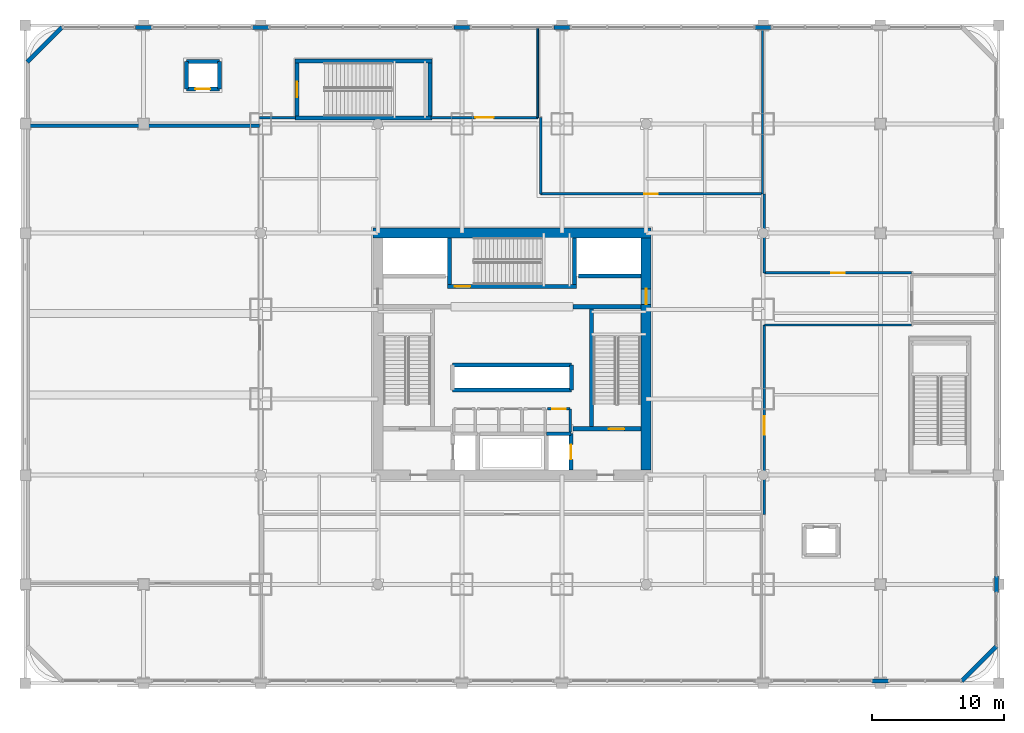
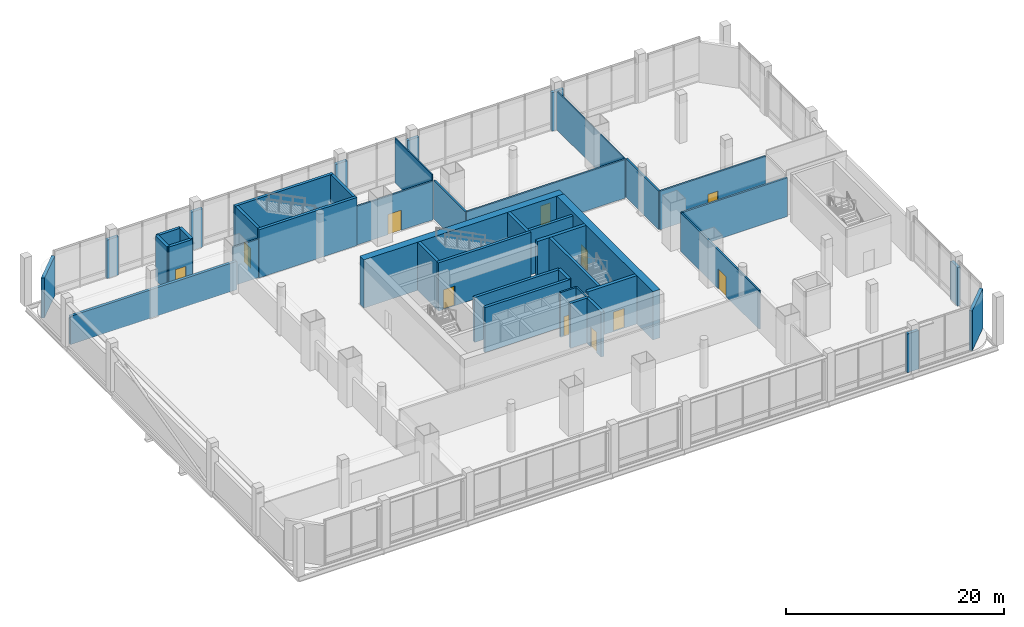
# One storey, part 24 of 35: 44 walls, 11 doors, 11 openings.
"""IFC4 building model written with IfcOpenShell, lengths in metres."""

from ifc_helpers import new_model, si_unit, direction, frame, frame_2d, origin, place, context, subcontext, project, spatial, rectangle, extrude, material, layer, layer_set, type_object, element, fill, save


model = new_model("IFC4")

# Units and contexts
model_context = context("Model", 3, precision=1e-05, world=origin(), true_north=direction((0.0, 1.0)))
body_context = subcontext(model_context, "Body", "Model", "MODEL_VIEW")
ifc_project = project(units=[si_unit("LENGTHUNIT", "METRE"), si_unit("AREAUNIT", "SQUARE_METRE"), si_unit("VOLUMEUNIT", "CUBIC_METRE"), si_unit("PLANEANGLEUNIT", "RADIAN"), si_unit("MASSUNIT", "GRAM", prefix="KILO")], contexts=[model_context])

# Site, building, storey
site_placement = place(None, origin())
site = spatial("IfcSite", under=ifc_project, at=site_placement, CompositionType="ELEMENT")
building_placement = place(site_placement, origin())
building = spatial("IfcBuilding", under=site, at=building_placement, Name="Punatoya Terracotta Tower", CompositionType="ELEMENT")
storey_placement = place(building_placement, frame((0.0, 0.0, 16.800048828125)))
storey = spatial("IfcBuildingStorey", under=building, at=storey_placement, Name="L03", CompositionType="ELEMENT", Elevation=16.800048828125)

# Walls
ifc_material_1 = material(Name="Concrete C40/50", Category="concrete")
ifc_layer_1 = layer(ifc_material_1, 0.280029296875)
ifc_layer_set_1 = layer_set([ifc_layer_1], Name="Concrete C40/50")
wall_type_1 = type_object("IfcWallType", Name="WL-AUD-280", PredefinedType="SOLIDWALL", material=ifc_layer_set_1)
wall_1_placement = place(storey_placement, frame((-36.780029296875, 17.360107421875, 0.0), z_axis=(0.0, 0.0, 1.0), x_axis=(1.0, 0.0, 0.0)))
element("IfcWall", 1, at=wall_1_placement, inside=storey, type_object=wall_type_1, Name="L03 Column-Free 450-Seat Corporate Auditorium Partition 14", PredefinedType="SOLIDWALL", context=body_context, shape_type="SweptSolid", body=[
    extrude(rectangle(XDim=17.60009765625, YDim=0.280029296875, at=frame_2d((8.800048828125, 0.0))), origin(), (0.0, 0.0, 1.0), 3.1640625),
])
ifc_material_2 = material(Name="Concrete C60/75", Category="concrete")
ifc_layer_2 = layer(ifc_material_2, 0.75)
ifc_layer_set_2 = layer_set([ifc_layer_2], Name="Concrete C60/75")
wall_type_2 = type_object("IfcWallType", Name="WL-COR-750", PredefinedType="SHEAR", material=ifc_layer_set_2)
wall_2_placement = place(storey_placement, frame((-10.574951171875, 9.199951171875, 0.0), z_axis=(0.0, 0.0, 1.0), x_axis=(1.0, 0.0, 0.0)))
element("IfcWall", 2, at=wall_2_placement, inside=storey, type_object=wall_type_2, Name="L03 Core Shear Wall N", PredefinedType="SHEAR", context=body_context, shape_type="SweptSolid", body=[
    extrude(rectangle(XDim=21.14990234375, YDim=0.75, at=frame_2d((10.574951171875, 0.0))), origin(), (0.0, 0.0, 1.0), 5.39990234375),
])

# Wall, opening, door
wall_3_placement = place(storey_placement, frame((10.199951171875, 8.824951171875, 0.0), z_axis=(0.0, 0.0, 1.0), x_axis=(0.0, -1.0, 0.0)))
wall_3 = element("IfcWall", 3, at=wall_3_placement, inside=storey, type_object=wall_type_2, Name="L03 Core Shear Wall E", PredefinedType="SHEAR", context=body_context, shape_type="SweptSolid", body=[
    extrude(rectangle(XDim=17.64990234375, YDim=0.75, at=frame_2d((8.824951171875, 0.0))), origin(), (0.0, 0.0, 1.0), 5.39990234375),
])
opening_1_placement = place(wall_3_placement, frame((3.85498046875, 0.0, 0.0)))
opening_1 = element("IfcOpeningElement", 4, at=opening_1_placement, cuts=wall_3, Name="Opening SD-01", PredefinedType="OPENING", context=body_context, shape_type="SweptSolid", body=[
    extrude(rectangle(XDim=1.179931640625, YDim=2.199951171875, at=frame_2d((0.58984375, 1.10009765625))), frame((0.0, 0.385009765625, 0.0), z_axis=(0.0, -1.0, 0.0), x_axis=(1.0, 0.0, 0.0)), (0.0, 0.0, 1.0), 0.77001953125),
])
ifc_material_3 = material(Name="Galvanised Steel Pressurized Stair Fire Door", Category="steel")
door_type_1 = type_object("IfcDoorType", Name="DR-STR-1180", OperationType="NOTDEFINED", PredefinedType="DOOR", material=ifc_material_3)
door_1_placement = place(opening_1_placement, origin())
door_1 = element("IfcDoor", 5, at=door_1_placement, inside=storey, type_object=door_type_1, Name="L03 Central Lift Lobby East Fire Door", OperationType="SINGLE_SWING_RIGHT", OverallHeight=2.199951171875, OverallWidth=1.179931640625, PredefinedType="DOOR", context=body_context, shape_type="SweptSolid", body=[
    extrude(rectangle(XDim=1.179931640625, YDim=2.199951171875, at=frame_2d((0.58984375, 1.10009765625))), frame((0.0, 0.02490234375, 0.0), z_axis=(0.0, -1.0, 0.0), x_axis=(1.0, 0.0, 0.0)), (0.0, 0.0, 1.0), 0.050048828125),
])
fill(opening_1, door_1)

# Wall
ifc_material_4 = material(Name="Gypsum Fireboard + Steel Stud", Category="steel")
ifc_layer_3 = layer(ifc_material_4, 0.179931640625)
ifc_layer_set_3 = layer_set([ifc_layer_3], Name="Gypsum Fireboard + Steel Stud")
wall_type_3 = type_object("IfcWallType", Name="WL-CORR-180", PredefinedType="PARTITIONING", material=ifc_layer_set_3)
wall_4_placement = place(storey_placement, frame((4.419921875, -5.89990234375, 0.0), z_axis=(0.0, 0.0, 1.0), x_axis=(0.0, 1.0, 0.0)))
element("IfcWall", 6, at=wall_4_placement, inside=storey, type_object=wall_type_3, Name="L03 Core Focus Booth Partition 10", PredefinedType="PARTITIONING", context=body_context, shape_type="SweptSolid", body=[
    extrude(rectangle(XDim=1.739990234375, YDim=0.179931640625, at=frame_2d((0.8701171875, 0.0))), origin(), (0.0, 0.0, 1.0), 5.02001953125),
])

# Wall, opening, door
wall_5_placement = place(storey_placement, frame((4.419921875, -4.159912109375, 0.0), z_axis=(0.0, 0.0, 1.0), x_axis=(-1.0, 0.0, 0.0)))
wall_5 = element("IfcWall", 7, at=wall_5_placement, inside=storey, type_object=wall_type_3, Name="L03 Core Focus Booth Partition 11", PredefinedType="PARTITIONING", context=body_context, shape_type="SweptSolid", body=[
    extrude(rectangle(XDim=1.719970703125, YDim=0.179931640625, at=frame_2d((0.85986328125, 0.0))), origin(), (0.0, 0.0, 1.0), 5.02001953125),
])
opening_2_placement = place(wall_5_placement, frame((0.35009765625, 0.0, 0.0)))
opening_2 = element("IfcOpeningElement", 8, at=opening_2_placement, cuts=wall_5, Name="Opening MD-01", PredefinedType="OPENING", context=body_context, shape_type="SweptSolid", body=[
    extrude(rectangle(XDim=1.02001953125, YDim=2.199951171875, at=frame_2d((0.510009765625, 1.10009765625))), frame((0.0, 0.099853515625, 0.0), z_axis=(0.0, -1.0, 0.0), x_axis=(1.0, 0.0, 0.0)), (0.0, 0.0, 1.0), 0.199951171875),
])
ifc_material_5 = material(Name="Aluminium + Acoustic Glass Leaf", Category="aluminium")
door_type_2 = type_object("IfcDoorType", Name="DR-MTG-1020", OperationType="NOTDEFINED", PredefinedType="DOOR", material=ifc_material_5)
door_2_placement = place(opening_2_placement, origin())
door_2 = element("IfcDoor", 9, at=door_2_placement, inside=storey, type_object=door_type_2, Name="L03 Focus Booth Door", OperationType="SINGLE_SWING_RIGHT", OverallHeight=2.199951171875, OverallWidth=1.02001953125, PredefinedType="DOOR", context=body_context, shape_type="SweptSolid", body=[
    extrude(rectangle(XDim=1.02001953125, YDim=2.199951171875, at=frame_2d((0.510009765625, 1.10009765625))), frame((0.0, 0.02490234375, 0.0), z_axis=(0.0, -1.0, 0.0), x_axis=(1.0, 0.0, 0.0)), (0.0, 0.0, 1.0), 0.050048828125),
])
fill(opening_2, door_2)

wall_6_placement = place(storey_placement, frame((1.9599609375, 17.97998046875, 0.0), z_axis=(0.0, 0.0, 1.0), x_axis=(-1.0, 0.0, 0.0)))
wall_6 = element("IfcWall", 10, at=wall_6_placement, inside=storey, type_object=wall_type_3, Name="L03 Speakers' Green Room Lounge Partition 18", PredefinedType="PARTITIONING", context=body_context, shape_type="SweptSolid", body=[
    extrude(rectangle(XDim=8.099853515625, YDim=0.179931640625, at=frame_2d((4.0498046875, 0.0))), origin(), (0.0, 0.0, 1.0), 4.31396484375),
])
opening_3_placement = place(wall_6_placement, frame((3.35009765625, 0.0, 0.0)))
opening_3 = element("IfcOpeningElement", 11, at=opening_3_placement, cuts=wall_6, Name="Opening BD-01", PredefinedType="OPENING", context=body_context, shape_type="SweptSolid", body=[
    extrude(rectangle(XDim=1.39990234375, YDim=2.25, at=frame_2d((0.699951171875, 1.125))), frame((0.0, 0.099853515625, 0.0), z_axis=(0.0, -1.0, 0.0), x_axis=(1.0, 0.0, 0.0)), (0.0, 0.0, 1.0), 0.199951171875),
])
ifc_material_6 = material(Name="Bengal Teak Acoustic Leaf")
door_type_3 = type_object("IfcDoorType", Name="DR-BRD-1400", OperationType="NOTDEFINED", PredefinedType="DOOR", material=ifc_material_6)
door_3_placement = place(opening_3_placement, origin())
door_3 = element("IfcDoor", 12, at=door_3_placement, inside=storey, type_object=door_type_3, Name="L03 Speakers' Green Room Lounge Door", OperationType="SINGLE_SWING_LEFT", OverallHeight=2.25, OverallWidth=1.39990234375, PredefinedType="DOOR", context=body_context, shape_type="SweptSolid", body=[
    extrude(rectangle(XDim=1.39990234375, YDim=2.25, at=frame_2d((0.699951171875, 1.125))), frame((0.0, 0.02490234375, 0.0), z_axis=(0.0, -1.0, 0.0), x_axis=(1.0, 0.0, 0.0)), (0.0, 0.0, 1.0), 0.050048828125),
])
fill(opening_3, door_3)

# Wall
wall_7_placement = place(storey_placement, frame((-16.4599609375, 17.97998046875, 0.0), z_axis=(0.0, 0.0, 1.0), x_axis=(-1.0, 0.0, 0.0)))
element("IfcWall", 13, at=wall_7_placement, inside=storey, type_object=wall_type_3, Name="L03 Speakers' Green Room Lounge Partition 19", PredefinedType="PARTITIONING", context=body_context, shape_type="SweptSolid", body=[
    extrude(rectangle(XDim=2.719970703125, YDim=0.179931640625, at=frame_2d((1.35986328125, 0.0))), origin(), (0.0, 0.0, 1.0), 4.31396484375),
])

# Wall, opening, door
wall_8_placement = place(storey_placement, frame((19.179931640625, -12.179931640625, 0.0), z_axis=(0.0, 0.0, 1.0), x_axis=(0.0, 1.0, 0.0)))
wall_8 = element("IfcWall", 14, at=wall_8_placement, inside=storey, type_object=wall_type_3, Name="L03 South-East Townhall Seminar Room Partition 22", PredefinedType="PARTITIONING", context=body_context, shape_type="SweptSolid", body=[
    extrude(rectangle(XDim=14.39990234375, YDim=0.179931640625, at=frame_2d((7.199951171875, 0.0))), origin(), (0.0, 0.0, 1.0), 4.31396484375),
])
opening_4_placement = place(wall_8_placement, frame((6.050048828125, 0.0, 0.0)))
opening_4 = element("IfcOpeningElement", 15, at=opening_4_placement, cuts=wall_8, Name="Opening BD-01", PredefinedType="OPENING", context=body_context, shape_type="SweptSolid", body=[
    extrude(rectangle(XDim=1.39990234375, YDim=2.25, at=frame_2d((0.699951171875, 1.125))), frame((0.0, 0.099853515625, 0.0), z_axis=(0.0, -1.0, 0.0), x_axis=(1.0, 0.0, 0.0)), (0.0, 0.0, 1.0), 0.199951171875),
])
door_4_placement = place(opening_4_placement, origin())
door_4 = element("IfcDoor", 16, at=door_4_placement, inside=storey, type_object=door_type_3, Name="L03 South-East Townhall Seminar Room Door", OperationType="SINGLE_SWING_LEFT", OverallHeight=2.25, OverallWidth=1.39990234375, PredefinedType="DOOR", context=body_context, shape_type="SweptSolid", body=[
    extrude(rectangle(XDim=1.39990234375, YDim=2.25, at=frame_2d((0.699951171875, 1.125))), frame((0.0, 0.02490234375, 0.0), z_axis=(0.0, -1.0, 0.0), x_axis=(1.0, 0.0, 0.0)), (0.0, 0.0, 1.0), 0.050048828125),
])
fill(opening_4, door_4)

# Wall
wall_9_placement = place(storey_placement, frame((19.179931640625, 2.219970703125, 0.0), z_axis=(0.0, 0.0, 1.0), x_axis=(1.0, 0.0, 0.0)))
element("IfcWall", 17, at=wall_9_placement, inside=storey, type_object=wall_type_3, Name="L03 South-East Townhall Seminar Room Partition 23", PredefinedType="PARTITIONING", context=body_context, shape_type="SweptSolid", body=[
    extrude(rectangle(XDim=11.199951171875, YDim=0.179931640625, at=frame_2d((5.60009765625, 0.0))), origin(), (0.0, 0.0, 1.0), 4.31396484375),
])

# Wall, opening, door
wall_10_placement = place(storey_placement, frame((30.3798828125, 6.179931640625, 0.0), z_axis=(0.0, 0.0, 1.0), x_axis=(-1.0, 0.0, 0.0)))
wall_10 = element("IfcWall", 18, at=wall_10_placement, inside=storey, type_object=wall_type_3, Name="L03 North-East Executive Directors' Office Suite Partition 26", PredefinedType="PARTITIONING", context=body_context, shape_type="SweptSolid", body=[
    extrude(rectangle(XDim=11.199951171875, YDim=0.179931640625, at=frame_2d((5.60009765625, 0.0))), origin(), (0.0, 0.0, 1.0), 4.31396484375),
])
opening_5_placement = place(wall_10_placement, frame((5.074951171875, 0.0, 0.0)))
opening_5 = element("IfcOpeningElement", 19, at=opening_5_placement, cuts=wall_10, Name="Opening OD-01", PredefinedType="OPENING", context=body_context, shape_type="SweptSolid", body=[
    extrude(rectangle(XDim=1.050048828125, YDim=2.199951171875, at=frame_2d((0.52490234375, 1.10009765625))), frame((0.0, 0.099853515625, 0.0), z_axis=(0.0, -1.0, 0.0), x_axis=(1.0, 0.0, 0.0)), (0.0, 0.0, 1.0), 0.199951171875),
])
ifc_material_7 = material(Name="Bengal Teak Solid-Core Leaf")
door_type_4 = type_object("IfcDoorType", Name="DR-OFF-1050", OperationType="NOTDEFINED", PredefinedType="DOOR", material=ifc_material_7)
door_5_placement = place(opening_5_placement, origin())
door_5 = element("IfcDoor", 20, at=door_5_placement, inside=storey, type_object=door_type_4, Name="L03 North-East Executive Directors' Office Suite Door", OperationType="SINGLE_SWING_RIGHT", OverallHeight=2.199951171875, OverallWidth=1.050048828125, PredefinedType="DOOR", context=body_context, shape_type="SweptSolid", body=[
    extrude(rectangle(XDim=1.050048828125, YDim=2.199951171875, at=frame_2d((0.52490234375, 1.10009765625))), frame((0.0, 0.02490234375, 0.0), z_axis=(0.0, -1.0, 0.0), x_axis=(1.0, 0.0, 0.0)), (0.0, 0.0, 1.0), 0.050048828125),
])
fill(opening_5, door_5)

# Wall
wall_11_placement = place(storey_placement, frame((19.179931640625, 6.179931640625, 0.0), z_axis=(0.0, 0.0, 1.0), x_axis=(0.0, 1.0, 0.0)))
element("IfcWall", 21, at=wall_11_placement, inside=storey, type_object=wall_type_3, Name="L03 North-East Executive Directors' Office Suite Partition 27", PredefinedType="PARTITIONING", context=body_context, shape_type="SweptSolid", body=[
    extrude(rectangle(XDim=6.0, YDim=0.179931640625, at=frame_2d((3.0, 0.0))), origin(), (0.0, 0.0, 1.0), 4.31396484375),
])

# Wall, opening, door
wall_12_placement = place(storey_placement, frame((18.9599609375, 12.179931640625, 0.0), z_axis=(0.0, 0.0, 1.0), x_axis=(-1.0, 0.0, 0.0)))
wall_12 = element("IfcWall", 22, at=wall_12_placement, inside=storey, type_object=wall_type_3, Name="L03 North Speakers' Lounge and Tea Pantry Partition 29", PredefinedType="PARTITIONING", context=body_context, shape_type="SweptSolid", body=[
    extrude(rectangle(XDim=16.780029296875, YDim=0.179931640625, at=frame_2d((8.39013671875, 0.0))), origin(), (0.0, 0.0, 1.0), 4.31396484375),
])
opening_6_placement = place(wall_12_placement, frame((7.864990234375, 0.0, 0.0)))
opening_6 = element("IfcOpeningElement", 23, at=opening_6_placement, cuts=wall_12, Name="Opening OD-01", PredefinedType="OPENING", context=body_context, shape_type="SweptSolid", body=[
    extrude(rectangle(XDim=1.050048828125, YDim=2.199951171875, at=frame_2d((0.52490234375, 1.10009765625))), frame((0.0, 0.099853515625, 0.0), z_axis=(0.0, -1.0, 0.0), x_axis=(1.0, 0.0, 0.0)), (0.0, 0.0, 1.0), 0.199951171875),
])
door_6_placement = place(opening_6_placement, origin())
door_6 = element("IfcDoor", 24, at=door_6_placement, inside=storey, type_object=door_type_4, Name="L03 North Speakers' Lounge and Tea Pantry Door", OperationType="SINGLE_SWING_LEFT", OverallHeight=2.199951171875, OverallWidth=1.050048828125, PredefinedType="DOOR", context=body_context, shape_type="SweptSolid", body=[
    extrude(rectangle(XDim=1.050048828125, YDim=2.199951171875, at=frame_2d((0.52490234375, 1.10009765625))), frame((0.0, 0.02490234375, 0.0), z_axis=(0.0, -1.0, 0.0), x_axis=(1.0, 0.0, 0.0)), (0.0, 0.0, 1.0), 0.050048828125),
])
fill(opening_6, door_6)

# Walls
wall_13_placement = place(storey_placement, frame((2.179931640625, 12.179931640625, 0.0), z_axis=(0.0, 0.0, 1.0), x_axis=(0.0, 1.0, 0.0)))
element("IfcWall", 25, at=wall_13_placement, inside=storey, type_object=wall_type_3, Name="L03 North Speakers' Lounge and Tea Pantry Partition 30", PredefinedType="PARTITIONING", context=body_context, shape_type="SweptSolid", body=[
    extrude(rectangle(XDim=5.800048828125, YDim=0.179931640625, at=frame_2d((2.89990234375, 0.0))), origin(), (0.0, 0.0, 1.0), 4.31396484375),
])
ifc_material_8 = material(Name="Precast concrete C40/50", Category="concrete")
ifc_layer_4 = layer(ifc_material_8, 0.320068359375)
ifc_layer_set_4 = layer_set([ifc_layer_4], Name="Precast concrete C40/50")
wall_type_4 = type_object("IfcWallType", Name="WL-EXT-320", PredefinedType="SOLIDWALL", material=ifc_layer_set_4)
wall_14_placement = place(storey_placement, frame((-27.3798828125, 24.840087890625, 0.0), z_axis=(0.0, 0.0, 1.0), x_axis=(-1.0, 0.0, 0.0)))
element("IfcWall", 26, at=wall_14_placement, inside=storey, type_object=wall_type_4, Name="L03 North Column Cladding Pier 1", PredefinedType="SOLIDWALL", context=body_context, shape_type="SweptSolid", body=[
    extrude(rectangle(XDim=1.240234375, YDim=0.320068359375, at=frame_2d((0.6201171875, 0.0))), origin(), (0.0, 0.0, 1.0), 4.31396484375),
])
for number, where, z_axis, x_axis, name in (
    (27, (-18.47998046875, 24.840087890625, 0.0), (0.0, 0.0, 1.0), (-1.0, 0.0, 0.0), "L03 North Column Cladding Pier 2"),
    (28, (-3.179931640625, 24.840087890625, 0.0), (0.0, 0.0, 1.0), (-1.0, 0.0, 0.0), "L03 North Column Cladding Pier 3"),
    (29, (4.419921875, 24.840087890625, 0.0), (0.0, 0.0, 1.0), (-1.0, 0.0, 0.0), "L03 North Column Cladding Pier 4"),
    (30, (19.719970703125, 24.840087890625, 0.0), (0.0, 0.0, 1.0), (-1.0, 0.0, 0.0), "L03 North Column Cladding Pier 5"),
):
    element("IfcWall", number, at=place(storey_placement, frame(where, z_axis=z_axis, x_axis=x_axis)), inside=storey, type_object=wall_type_4, Name=name, PredefinedType="SOLIDWALL", context=body_context, shape_type="SweptSolid", body=[
        extrude(rectangle(XDim=1.239990234375, YDim=0.320068359375, at=frame_2d((0.6201171875, 0.0))), origin(), (0.0, 0.0, 1.0), 4.31396484375),
    ])
for number, where, z_axis, x_axis, name in (
    (31, (27.3798828125, -24.840087890625, 0.0), (0.0, 0.0, 1.0), (1.0, 0.0, 0.0), "L03 South Column Cladding Pier 6"),
    (32, (36.840087890625, -16.8798828125, 0.0), (0.0, 0.0, 1.0), (0.0, -1.0, 0.0), "L03 East Pier 11-B"),
):
    element("IfcWall", number, at=place(storey_placement, frame(where, z_axis=z_axis, x_axis=x_axis)), inside=storey, type_object=wall_type_4, Name=name, PredefinedType="SOLIDWALL", context=body_context, shape_type="SweptSolid", body=[
        extrude(rectangle(XDim=1.240234375, YDim=0.320068359375, at=frame_2d((0.6201171875, 0.0))), origin(), (0.0, 0.0, 1.0), 4.31396484375),
    ])
for number, where, z_axis, x_axis, name in (
    (33, (-36.840087890625, 22.199951171875, 0.0), (0.0, 0.0, 1.0), (0.707106781187, 0.707106781187, 0.0), "L03 Terracotta Corner Pier 2"),
    (34, (36.840087890625, -22.199951171875, 0.0), (0.0, 0.0, 1.0), (-0.707106781187, -0.707106781187, 0.0), "L03 Terracotta Corner Pier 4"),
):
    element("IfcWall", number, at=place(storey_placement, frame(where, z_axis=z_axis, x_axis=x_axis)), inside=storey, type_object=wall_type_4, Name=name, PredefinedType="SOLIDWALL", context=body_context, shape_type="SweptSolid", body=[
        extrude(rectangle(XDim=3.733642578125, YDim=0.320068359375, at=frame_2d((1.86669921875, 0.0))), origin(), (0.0, 0.0, 1.0), 4.4638671875),
    ])
ifc_material_9 = material(Name="Gypsum Partition + Steel Stud", Category="steel")
ifc_layer_5 = layer(ifc_material_9, 0.1201171875)
ifc_layer_set_5 = layer_set([ifc_layer_5], Name="Gypsum Partition + Steel Stud")
wall_type_5 = type_object("IfcWallType", Name="WL-OFF-120", PredefinedType="PARTITIONING", material=ifc_layer_set_5)
wall_15_placement = place(storey_placement, frame((1.9599609375, 24.780029296875, 0.0), z_axis=(0.0, 0.0, 1.0), x_axis=(0.0, -1.0, 0.0)))
element("IfcWall", 35, at=wall_15_placement, inside=storey, type_object=wall_type_5, Name="L03 Speakers' Green Room Lounge Partition 17", PredefinedType="PARTITIONING", context=body_context, shape_type="SweptSolid", body=[
    extrude(rectangle(XDim=6.800048828125, YDim=0.1201171875, at=frame_2d((3.39990234375, 0.0))), origin(), (0.0, 0.0, 1.0), 5.02001953125),
])
wall_16_placement = place(storey_placement, frame((19.0400390625, 12.179931640625, 0.0), z_axis=(0.0, 0.0, 1.0), x_axis=(0.0, 1.0, 0.0)))
element("IfcWall", 36, at=wall_16_placement, inside=storey, type_object=wall_type_5, Name="L03 North-East Executive Directors' Office Suite Partition 28", PredefinedType="PARTITIONING", context=body_context, shape_type="SweptSolid", body=[
    extrude(rectangle(XDim=12.60009765625, YDim=0.1201171875, at=frame_2d((6.300048828125, 0.0))), origin(), (0.0, 0.0, 1.0), 4.31396484375),
])
ifc_layer_6 = layer(ifc_material_1, 0.300048828125)
ifc_layer_set_6 = layer_set([ifc_layer_6], Name="Concrete C40/50")
wall_type_6 = type_object("IfcWallType", Name="WL-SHF-300", PredefinedType="SOLIDWALL", material=ifc_layer_set_6)
wall_17_placement = place(storey_placement, frame((6.050048828125, 3.449951171875, 0.0), z_axis=(0.0, 0.0, 1.0), x_axis=(0.0, -1.0, 0.0)))
element("IfcWall", 37, at=wall_17_placement, inside=storey, type_object=wall_type_6, Name="L03 Structural Stair Shaft Wall SW-ST2-W", PredefinedType="SOLIDWALL", context=body_context, shape_type="SweptSolid", body=[
    extrude(rectangle(XDim=8.949951171875, YDim=0.300048828125, at=frame_2d((4.47509765625, 0.0))), origin(), (0.0, 0.0, 1.0), 5.39990234375),
])
for number, where, z_axis, x_axis, name in (
    (38, (-4.75, 5.300048828125, 0.0), (0.0, 0.0, 1.0), (0.0, 1.0, 0.0), "L03 Structural Stair Shaft Wall SW-ST3-W"),
    (39, (4.75, 8.824951171875, 0.0), (0.0, 0.0, 1.0), (0.0, -1.0, 0.0), "L03 Structural Stair Shaft Wall SW-ST3-E"),
):
    element("IfcWall", number, at=place(storey_placement, frame(where, z_axis=z_axis, x_axis=x_axis)), inside=storey, type_object=wall_type_6, Name=name, PredefinedType="SOLIDWALL", context=body_context, shape_type="SweptSolid", body=[
        extrude(rectangle(XDim=3.52490234375, YDim=0.300048828125, at=frame_2d((1.762451171875, 0.0))), origin(), (0.0, 0.0, 1.0), 5.39990234375),
    ])

# Wall, opening, door
wall_18_placement = place(storey_placement, frame((-4.89990234375, 5.14990234375, 0.0), z_axis=(0.0, 0.0, 1.0), x_axis=(1.0, 0.0, 0.0)))
wall_18 = element("IfcWall", 40, at=wall_18_placement, inside=storey, type_object=wall_type_6, Name="L03 Structural Stair Shaft Wall SW-ST3-S", PredefinedType="SOLIDWALL", context=body_context, shape_type="SweptSolid", body=[
    extrude(rectangle(XDim=9.7998046875, YDim=0.300048828125, at=frame_2d((4.89990234375, 0.0))), origin(), (0.0, 0.0, 1.0), 5.39990234375),
])
opening_7_placement = place(wall_18_placement, frame((0.56005859375, 0.0, 0.0)))
opening_7 = element("IfcOpeningElement", 41, at=opening_7_placement, cuts=wall_18, Name="Opening SD-01", PredefinedType="OPENING", context=body_context, shape_type="SweptSolid", body=[
    extrude(rectangle(XDim=1.179931640625, YDim=2.199951171875, at=frame_2d((0.58984375, 1.10009765625))), frame((0.0, 0.159912109375, 0.0), z_axis=(0.0, -1.0, 0.0), x_axis=(1.0, 0.0, 0.0)), (0.0, 0.0, 1.0), 0.320068359375),
])
door_7_placement = place(opening_7_placement, origin())
door_7 = element("IfcDoor", 42, at=door_7_placement, inside=storey, type_object=door_type_1, Name="L03 Stair ST-3 Core Lobby Fire Door", OperationType="SINGLE_SWING_LEFT", OverallHeight=2.199951171875, OverallWidth=1.179931640625, PredefinedType="DOOR", context=body_context, shape_type="SweptSolid", body=[
    extrude(rectangle(XDim=1.179931640625, YDim=2.199951171875, at=frame_2d((0.58984375, 1.10009765625))), frame((0.0, 0.02490234375, 0.0), z_axis=(0.0, -1.0, 0.0), x_axis=(1.0, 0.0, 0.0)), (0.0, 0.0, 1.0), 0.050048828125),
])
fill(opening_7, door_7)

# Walls
for number, where, z_axis, x_axis, name in (
    (43, (-16.5, 17.949951171875, 0.0), (0.0, 0.0, 1.0), (1.0, 0.0, 0.0), "L03 ST-P1 South Structural Shaft Wall"),
    (44, (-6.10009765625, 22.300048828125, 0.0), (0.0, 0.0, 1.0), (-1.0, 0.0, 0.0), "L03 ST-P1 North Structural Shaft Wall"),
):
    element("IfcWall", number, at=place(storey_placement, frame(where, z_axis=z_axis, x_axis=x_axis)), inside=storey, type_object=wall_type_6, Name=name, PredefinedType="SOLIDWALL", context=body_context, shape_type="SweptSolid", body=[
        extrude(rectangle(XDim=10.39990234375, YDim=0.300048828125, at=frame_2d((5.199951171875, 0.0))), origin(), (0.0, 0.0, 1.0), 5.39990234375),
    ])

# Wall, opening, door
wall_19_placement = place(storey_placement, frame((-16.35009765625, 18.10009765625, 0.0), z_axis=(0.0, 0.0, 1.0), x_axis=(0.0, 1.0, 0.0)))
wall_19 = element("IfcWall", 45, at=wall_19_placement, inside=storey, type_object=wall_type_6, Name="L03 ST-P1 West Structural Shaft Wall", PredefinedType="SOLIDWALL", context=body_context, shape_type="SweptSolid", body=[
    extrude(rectangle(XDim=4.0498046875, YDim=0.300048828125, at=frame_2d((2.02490234375, 0.0))), origin(), (0.0, 0.0, 1.0), 5.39990234375),
])
opening_8_placement = place(wall_19_placement, frame((1.43505859375, 0.0, 0.0)))
opening_8 = element("IfcOpeningElement", 46, at=opening_8_placement, cuts=wall_19, Name="Opening SD-01", PredefinedType="OPENING", context=body_context, shape_type="SweptSolid", body=[
    extrude(rectangle(XDim=1.179931640625, YDim=2.199951171875, at=frame_2d((0.58984375, 1.10009765625))), frame((0.0, 0.159912109375, 0.0), z_axis=(0.0, -1.0, 0.0), x_axis=(1.0, 0.0, 0.0)), (0.0, 0.0, 1.0), 0.320068359375),
])
door_8_placement = place(opening_8_placement, origin())
door_8 = element("IfcDoor", 47, at=door_8_placement, inside=storey, type_object=door_type_1, Name="L03 Podium Stair ST-P1 Fire Door", OperationType="SINGLE_SWING_LEFT", OverallHeight=2.199951171875, OverallWidth=1.179931640625, PredefinedType="DOOR", context=body_context, shape_type="SweptSolid", body=[
    extrude(rectangle(XDim=1.179931640625, YDim=2.199951171875, at=frame_2d((0.58984375, 1.10009765625))), frame((0.0, 0.02490234375, 0.0), z_axis=(0.0, -1.0, 0.0), x_axis=(1.0, 0.0, 0.0)), (0.0, 0.0, 1.0), 0.050048828125),
])
fill(opening_8, door_8)

# Wall
wall_20_placement = place(storey_placement, frame((-6.25, 22.14990234375, 0.0), z_axis=(0.0, 0.0, 1.0), x_axis=(0.0, -1.0, 0.0)))
element("IfcWall", 48, at=wall_20_placement, inside=storey, type_object=wall_type_6, Name="L03 ST-P1 East Structural Shaft Wall", PredefinedType="SOLIDWALL", context=body_context, shape_type="SweptSolid", body=[
    extrude(rectangle(XDim=4.0498046875, YDim=0.300048828125, at=frame_2d((2.02490234375, 0.0))), origin(), (0.0, 0.0, 1.0), 5.39990234375),
])

# Wall, opening, door
wall_21_placement = place(storey_placement, frame((4.489990234375, -8.820068359375, 0.0), z_axis=(0.0, 0.0, 1.0), x_axis=(0.0, 1.0, 0.0)))
wall_21 = element("IfcWall", 49, at=wall_21_placement, inside=storey, type_object=wall_type_6, Name="L03 FFL-2 Front Hoistway Wall", PredefinedType="SOLIDWALL", context=body_context, shape_type="SweptSolid", body=[
    extrude(rectangle(XDim=2.77001953125, YDim=0.300048828125, at=frame_2d((1.385009765625, 0.0))), origin(), (0.0, 0.0, 1.0), 5.02001953125),
])
opening_9_placement = place(wall_21_placement, frame((0.824951171875, 0.0, 0.0)))
opening_9 = element("IfcOpeningElement", 50, at=opening_9_placement, cuts=wall_21, Name="Opening LD-02", PredefinedType="OPENING", context=body_context, shape_type="SweptSolid", body=[
    extrude(rectangle(XDim=1.1201171875, YDim=2.25, at=frame_2d((0.56005859375, 1.125))), frame((0.0, 0.159912109375, 0.0), z_axis=(0.0, -1.0, 0.0), x_axis=(1.0, 0.0, 0.0)), (0.0, 0.0, 1.0), 0.320068359375),
])
ifc_material_10 = material(Name="Stainless Steel Lift Landing Door", Category="steel")
door_type_5 = type_object("IfcDoorType", Name="DR-LND-1120", OperationType="NOTDEFINED", PredefinedType="DOOR", material=ifc_material_10)
door_9_placement = place(opening_9_placement, origin())
door_9 = element("IfcDoor", 51, at=door_9_placement, inside=storey, type_object=door_type_5, Name="L03 Firefighting Lift FFL-2 Sliding Landing Door", OperationType="SLIDING_TO_RIGHT", OverallHeight=2.25, OverallWidth=1.1201171875, PredefinedType="DOOR", context=body_context, shape_type="SweptSolid", body=[
    extrude(rectangle(XDim=1.1201171875, YDim=2.25, at=frame_2d((0.56005859375, 1.125))), frame((0.0, 0.02490234375, 0.0), z_axis=(0.0, -1.0, 0.0), x_axis=(1.0, 0.0, 0.0)), (0.0, 0.0, 1.0), 0.050048828125),
])
fill(opening_9, door_9)

# Walls
wall_22_placement = place(storey_placement, frame((2.610107421875, -6.050048828125, 0.0), z_axis=(0.0, 0.0, 1.0), x_axis=(1.0, 0.0, 0.0)))
element("IfcWall", 52, at=wall_22_placement, inside=storey, type_object=wall_type_6, Name="L03 FFL-2 North Hoistway Wall", PredefinedType="SOLIDWALL", context=body_context, shape_type="SweptSolid", body=[
    extrude(rectangle(XDim=1.8798828125, YDim=0.300048828125, at=frame_2d((0.93994140625, 0.0))), origin(), (0.0, 0.0, 1.0), 5.02001953125),
])
for number, where, z_axis, x_axis, name in (
    (53, (-4.52001953125, -0.840087890625, 0.0), (0.0, 0.0, 1.0), (1.0, 0.0, 0.0), "L03 South Lift Bank Front Shaft Wall"),
    (54, (-4.52001953125, -2.719970703125, 0.0), (0.0, 0.0, 1.0), (1.0, 0.0, 0.0), "L03 South Lift Bank Rear Shaft Wall"),
):
    element("IfcWall", number, at=place(storey_placement, frame(where, z_axis=z_axis, x_axis=x_axis)), inside=storey, type_object=wall_type_6, Name=name, PredefinedType="SOLIDWALL", context=body_context, shape_type="SweptSolid", body=[
        extrude(rectangle(XDim=9.0400390625, YDim=0.300048828125, at=frame_2d((4.52001953125, 0.0))), origin(), (0.0, 0.0, 1.0), 5.02001953125),
    ])
wall_23_placement = place(storey_placement, frame((4.52001953125, -2.719970703125, 0.0), z_axis=(0.0, 0.0, 1.0), x_axis=(0.0, 1.0, 0.0)))
element("IfcWall", 55, at=wall_23_placement, inside=storey, type_object=wall_type_6, Name="L03 South Lift Bank East End Wall", PredefinedType="SOLIDWALL", context=body_context, shape_type="SweptSolid", body=[
    extrude(rectangle(XDim=1.8798828125, YDim=0.300048828125, at=frame_2d((0.93994140625, 0.0))), origin(), (0.0, 0.0, 1.0), 5.02001953125),
])
wall_24_placement = place(storey_placement, frame((5.06005859375, 5.949951171875, 0.0), z_axis=(0.0, 0.0, 1.0), x_axis=(1.0, 0.0, 0.0)))
element("IfcWall", 56, at=wall_24_placement, inside=storey, type_object=wall_type_6, Name="L03 Shuttle SL-2 South Hoistway Wall", PredefinedType="SOLIDWALL", context=body_context, shape_type="SweptSolid", body=[
    extrude(rectangle(XDim=4.760009765625, YDim=0.300048828125, at=frame_2d((2.3798828125, 0.0))), origin(), (0.0, 0.0, 1.0), 5.02001953125),
])

# Wall, opening, door
wall_25_placement = place(storey_placement, frame((-24.75, 20.14990234375, 0.0), z_axis=(0.0, 0.0, 1.0), x_axis=(1.0, 0.0, 0.0)))
wall_25 = element("IfcWall", 57, at=wall_25_placement, inside=storey, type_object=wall_type_6, Name="L03 Podium Lift PL-P1 Front Wall", PredefinedType="SOLIDWALL", context=body_context, shape_type="SweptSolid", body=[
    extrude(rectangle(XDim=2.5, YDim=0.300048828125, at=frame_2d((1.25, 0.0))), origin(), (0.0, 0.0, 1.0), 5.02001953125),
])
opening_10_placement = place(wall_25_placement, frame((0.68994140625, 0.0, 0.0)))
opening_10 = element("IfcOpeningElement", 58, at=opening_10_placement, cuts=wall_25, Name="Opening LD-02", PredefinedType="OPENING", context=body_context, shape_type="SweptSolid", body=[
    extrude(rectangle(XDim=1.1201171875, YDim=2.25, at=frame_2d((0.56005859375, 1.125))), frame((0.0, 0.159912109375, 0.0), z_axis=(0.0, -1.0, 0.0), x_axis=(1.0, 0.0, 0.0)), (0.0, 0.0, 1.0), 0.320068359375),
])
door_10_placement = place(opening_10_placement, origin())
door_10 = element("IfcDoor", 59, at=door_10_placement, inside=storey, type_object=door_type_5, Name="L03 Podium Lift PL-P1 Sliding Landing Door", OperationType="DOUBLE_DOOR_SLIDING", OverallHeight=2.25, OverallWidth=1.1201171875, PredefinedType="DOOR", context=body_context, shape_type="SweptSolid", body=[
    extrude(rectangle(XDim=1.1201171875, YDim=2.25, at=frame_2d((0.56005859375, 1.125))), frame((0.0, 0.02490234375, 0.0), z_axis=(0.0, -1.0, 0.0), x_axis=(1.0, 0.0, 0.0)), (0.0, 0.0, 1.0), 0.050048828125),
])
fill(opening_10, door_10)

# Walls
wall_26_placement = place(storey_placement, frame((-24.75, 22.25, 0.0), z_axis=(0.0, 0.0, 1.0), x_axis=(1.0, 0.0, 0.0)))
element("IfcWall", 60, at=wall_26_placement, inside=storey, type_object=wall_type_6, Name="L03 Podium Lift PL-P1 Rear Wall", PredefinedType="SOLIDWALL", context=body_context, shape_type="SweptSolid", body=[
    extrude(rectangle(XDim=2.5, YDim=0.300048828125, at=frame_2d((1.25, 0.0))), origin(), (0.0, 0.0, 1.0), 5.02001953125),
])
for number, where, z_axis, x_axis, name in (
    (61, (-24.75, 20.14990234375, 0.0), (0.0, 0.0, 1.0), (0.0, 1.0, 0.0), "L03 Podium Lift PL-P1 West Wall"),
    (62, (-22.25, 20.14990234375, 0.0), (0.0, 0.0, 1.0), (0.0, 1.0, 0.0), "L03 Podium Lift PL-P1 East Wall"),
):
    element("IfcWall", number, at=place(storey_placement, frame(where, z_axis=z_axis, x_axis=x_axis)), inside=storey, type_object=wall_type_6, Name=name, PredefinedType="SOLIDWALL", context=body_context, shape_type="SweptSolid", body=[
        extrude(rectangle(XDim=2.10009765625, YDim=0.300048828125, at=frame_2d((1.050048828125, 0.0))), origin(), (0.0, 0.0, 1.0), 5.02001953125),
    ])

# Wall, opening, door
ifc_material_11 = material(Name="Concrete C50/60", Category="concrete")
ifc_layer_7 = layer(ifc_material_11, 0.35009765625)
ifc_layer_set_7 = layer_set([ifc_layer_7], Name="Concrete C50/60")
wall_type_7 = type_object("IfcWallType", Name="WL-SHF-350", PredefinedType="SOLIDWALL", material=ifc_layer_set_7)
wall_27_placement = place(storey_placement, frame((4.64990234375, -5.679931640625, 0.0), z_axis=(0.0, 0.0, 1.0), x_axis=(1.0, 0.0, 0.0)))
wall_27 = element("IfcWall", 63, at=wall_27_placement, inside=storey, type_object=wall_type_7, Name="L03 Core Web Wall CSW-R", PredefinedType="SOLIDWALL", context=body_context, shape_type="SweptSolid", body=[
    extrude(rectangle(XDim=5.175048828125, YDim=0.35009765625, at=frame_2d((2.58740234375, 0.0))), origin(), (0.0, 0.0, 1.0), 5.39990234375),
])
opening_11_placement = place(wall_27_placement, frame((2.7099609375, 0.0, 0.0)))
opening_11 = element("IfcOpeningElement", 64, at=opening_11_placement, cuts=wall_27, Name="Opening SD-01", PredefinedType="OPENING", context=body_context, shape_type="SweptSolid", body=[
    extrude(rectangle(XDim=1.179931640625, YDim=2.199951171875, at=frame_2d((0.58984375, 1.10009765625))), frame((0.0, 0.18505859375, 0.0), z_axis=(0.0, -1.0, 0.0), x_axis=(1.0, 0.0, 0.0)), (0.0, 0.0, 1.0), 0.3701171875),
])
door_11_placement = place(opening_11_placement, origin())
door_11 = element("IfcDoor", 65, at=door_11_placement, inside=storey, type_object=door_type_1, Name="L03 Stair ST-2 Smokeproof Lobby Fire Door", OperationType="SINGLE_SWING_RIGHT", OverallHeight=2.199951171875, OverallWidth=1.179931640625, PredefinedType="DOOR", context=body_context, shape_type="SweptSolid", body=[
    extrude(rectangle(XDim=1.179931640625, YDim=2.199951171875, at=frame_2d((0.58984375, 1.10009765625))), frame((0.0, 0.02490234375, 0.0), z_axis=(0.0, -1.0, 0.0), x_axis=(1.0, 0.0, 0.0)), (0.0, 0.0, 1.0), 0.050048828125),
])
fill(opening_11, door_11)

# Wall
wall_28_placement = place(storey_placement, frame((4.64990234375, 3.60009765625, 0.0), z_axis=(0.0, 0.0, 1.0), x_axis=(1.0, 0.0, 0.0)))
element("IfcWall", 66, at=wall_28_placement, inside=storey, type_object=wall_type_7, Name="L03 Core Web Wall CNW-R", PredefinedType="SOLIDWALL", context=body_context, shape_type="SweptSolid", body=[
    extrude(rectangle(XDim=5.175048828125, YDim=0.35009765625, at=frame_2d((2.58740234375, 0.0))), origin(), (0.0, 0.0, 1.0), 5.39990234375),
])

save(model, "model.ifc")
